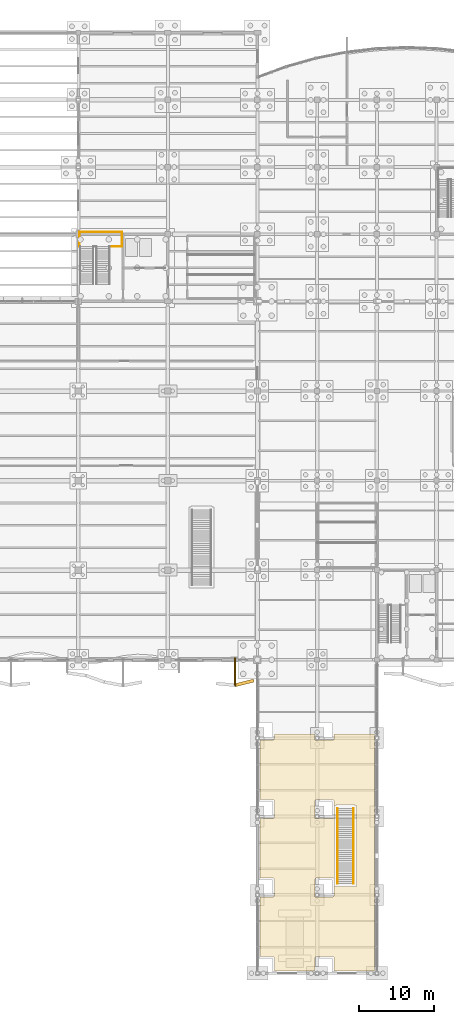
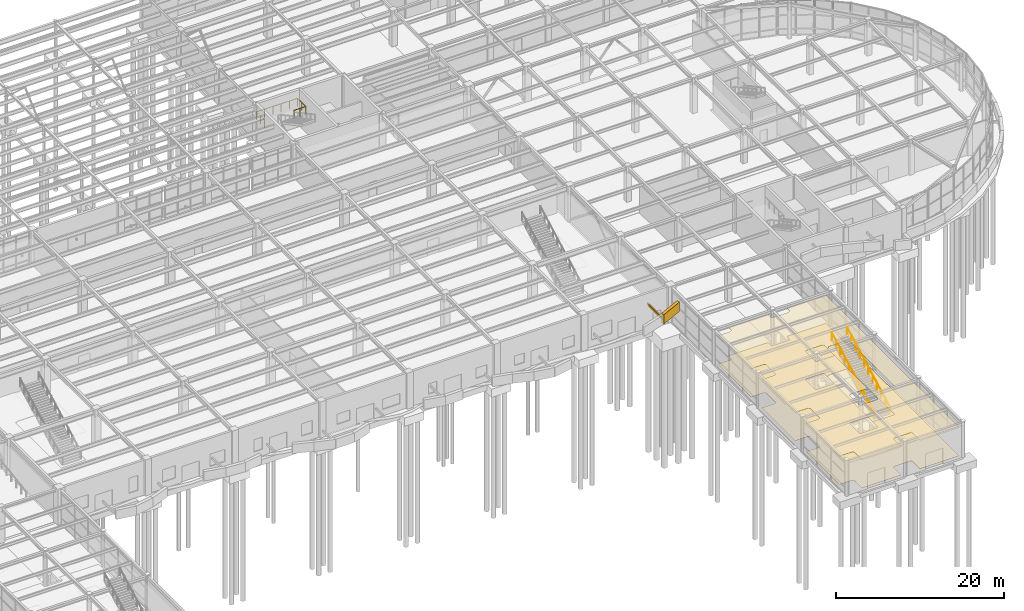
# One storey, part 79 of 85: 4 coverings, 3 railings.
"""IFC4 building model written with IfcOpenShell, lengths in metres."""

from ifc_helpers import new_model, si_unit, direction, frame, frame_2d, origin, origin_2d, place, context, subcontext, project, spatial, polyline, rectangle, circle, outline, extrude, material, layer, layer_set, type_object, element, save


model = new_model("IFC4")

# Units and contexts
model_context = context("Model", 3, precision=1e-05, world=origin(), true_north=direction((0.0, 1.0)))
body_context = subcontext(model_context, "Body", "Model", "MODEL_VIEW")
ifc_project = project(units=[si_unit("LENGTHUNIT", "METRE"), si_unit("AREAUNIT", "SQUARE_METRE"), si_unit("VOLUMEUNIT", "CUBIC_METRE"), si_unit("PLANEANGLEUNIT", "RADIAN"), si_unit("MASSUNIT", "GRAM", prefix="KILO")], contexts=[model_context])

# Site, building, storey
site_placement = place(None, origin())
site = spatial("IfcSite", under=ifc_project, at=site_placement, CompositionType="ELEMENT")
building_placement = place(site_placement, origin())
building = spatial("IfcBuilding", under=site, at=building_placement, Name="Keelwater Ferry Terminal", CompositionType="ELEMENT")
storey_placement = place(building_placement, origin())
storey = spatial("IfcBuildingStorey", under=building, at=storey_placement, Name="L00", CompositionType="ELEMENT", Elevation=0.0)

# Coverings
ifc_material_1 = material(Name="Perforated acoustic gypsum board ceiling", Category="gypsum")
ifc_layer_1 = layer(ifc_material_1, 0.044921875)
ifc_layer_set_1 = layer_set([ifc_layer_1], Name="Perforated acoustic gypsum board ceiling")
covering_type_1 = type_object("IfcCoveringType", Name="CL-AC Acoustic Baffle Ceiling", PredefinedType="CEILING", material=ifc_layer_set_1)
covering_1_placement = place(storey_placement, frame((0.0, 0.0, 4.10009765625)))
element("IfcCovering", 1, at=covering_1_placement, inside=storey, type_object=covering_type_1, Name="East Berth Holdroom Acoustic Ceiling", PredefinedType="CEILING", context=body_context, shape_type="SweptSolid", body=[
    extrude(outline(polyline([(147.615966796875, 32.077880859375), (147.623046875, 32.076904296875), (147.631103515625, 32.073974609375), (147.637939453125, 32.071044921875), (147.64404296875, 32.06689453125), (147.65087890625, 32.06201171875), (147.656982421875, 32.056884765625), (147.662109375, 32.051025390625), (147.6669921875, 32.0439453125), (147.6708984375, 32.0380859375), (147.674072265625, 32.031005859375), (147.677001953125, 32.02294921875), (147.677978515625, 32.01611328125), (147.679931640625, 32.008056640625), (147.679931640625, 32.0), (147.679931640625, 0.39990234375), (147.679931640625, 0.39208984375), (147.677978515625, 0.384033203125), (147.677001953125, 0.376953125), (147.674072265625, 0.368896484375), (147.6708984375, 0.362060546875), (147.6669921875, 0.35595703125), (147.662109375, 0.34912109375), (147.656982421875, 0.343017578125), (147.65087890625, 0.337890625), (147.64404296875, 0.3330078125), (147.637939453125, 0.3291015625), (147.631103515625, 0.325927734375), (147.623046875, 0.322998046875), (147.615966796875, 0.322021484375), (147.60791015625, 0.320068359375), (147.60009765625, 0.320068359375), (142.280029296875, 0.320068359375), (142.280029296875, 2.0), (142.279052734375, 2.027099609375), (142.27490234375, 2.054931640625), (142.26806640625, 2.0810546875), (142.259033203125, 2.10693359375), (142.2470703125, 2.132080078125), (142.23291015625, 2.156005859375), (142.216064453125, 2.177978515625), (142.197998046875, 2.197998046875), (142.177978515625, 2.216064453125), (142.156005859375, 2.23291015625), (142.132080078125, 2.2470703125), (142.10693359375, 2.259033203125), (142.0810546875, 2.26806640625), (142.054931640625, 2.27490234375), (142.027099609375, 2.279052734375), (142.0, 2.280029296875), (140.0, 2.280029296875), (139.972900390625, 2.279052734375), (139.945068359375, 2.27490234375), (139.9189453125, 2.26806640625), (139.89306640625, 2.259033203125), (139.867919921875, 2.2470703125), (139.843994140625, 2.23291015625), (139.822021484375, 2.216064453125), (139.802001953125, 2.197998046875), (139.783935546875, 2.177978515625), (139.76708984375, 2.156005859375), (139.7529296875, 2.132080078125), (139.740966796875, 2.10693359375), (139.73193359375, 2.0810546875), (139.72509765625, 2.054931640625), (139.720947265625, 2.027099609375), (139.719970703125, 2.0), (139.719970703125, 0.320068359375), (134.280029296875, 0.320068359375), (134.280029296875, 2.0), (134.279052734375, 2.027099609375), (134.27490234375, 2.054931640625), (134.26806640625, 2.0810546875), (134.259033203125, 2.10693359375), (134.2470703125, 2.132080078125), (134.23291015625, 2.156005859375), (134.216064453125, 2.177978515625), (134.197998046875, 2.197998046875), (134.177978515625, 2.216064453125), (134.156005859375, 2.23291015625), (134.132080078125, 2.2470703125), (134.10693359375, 2.259033203125), (134.0810546875, 2.26806640625), (134.054931640625, 2.27490234375), (134.027099609375, 2.279052734375), (134.0, 2.280029296875), (132.320068359375, 2.280029296875), (132.320068359375, 10.219970703125), (134.0, 10.219970703125), (134.027099609375, 10.220947265625), (134.054931640625, 10.22509765625), (134.0810546875, 10.23193359375), (134.10693359375, 10.240966796875), (134.132080078125, 10.2529296875), (134.156005859375, 10.26708984375), (134.177978515625, 10.283935546875), (134.197998046875, 10.302001953125), (134.216064453125, 10.322021484375), (134.23291015625, 10.343994140625), (134.2470703125, 10.367919921875), (134.259033203125, 10.39306640625), (134.26806640625, 10.4189453125), (134.27490234375, 10.445068359375), (134.279052734375, 10.472900390625), (134.280029296875, 10.5), (134.280029296875, 12.5), (134.279052734375, 12.527099609375), (134.27490234375, 12.554931640625), (134.26806640625, 12.5810546875), (134.259033203125, 12.60693359375), (134.2470703125, 12.632080078125), (134.23291015625, 12.656005859375), (134.216064453125, 12.677978515625), (134.197998046875, 12.697998046875), (134.177978515625, 12.716064453125), (134.156005859375, 12.73291015625), (134.132080078125, 12.7470703125), (134.10693359375, 12.759033203125), (134.0810546875, 12.76806640625), (134.054931640625, 12.77490234375), (134.027099609375, 12.779052734375), (134.0, 12.780029296875), (132.320068359375, 12.780029296875), (132.320068359375, 20.719970703125), (134.0, 20.719970703125), (134.027099609375, 20.720947265625), (134.054931640625, 20.72509765625), (134.0810546875, 20.73193359375), (134.10693359375, 20.740966796875), (134.132080078125, 20.7529296875), (134.156005859375, 20.76708984375), (134.177978515625, 20.783935546875), (134.197998046875, 20.802001953125), (134.216064453125, 20.822021484375), (134.23291015625, 20.843994140625), (134.2470703125, 20.867919921875), (134.259033203125, 20.89306640625), (134.26806640625, 20.9189453125), (134.27490234375, 20.945068359375), (134.279052734375, 20.972900390625), (134.280029296875, 21.0), (134.280029296875, 23.0), (134.279052734375, 23.027099609375), (134.27490234375, 23.054931640625), (134.26806640625, 23.0810546875), (134.259033203125, 23.10693359375), (134.2470703125, 23.132080078125), (134.23291015625, 23.156005859375), (134.216064453125, 23.177978515625), (134.197998046875, 23.197998046875), (134.177978515625, 23.216064453125), (134.156005859375, 23.23291015625), (134.132080078125, 23.2470703125), (134.10693359375, 23.259033203125), (134.0810546875, 23.26806640625), (134.054931640625, 23.27490234375), (134.027099609375, 23.279052734375), (134.0, 23.280029296875), (132.320068359375, 23.280029296875), (132.320068359375, 31.219970703125), (134.0, 31.219970703125), (134.027099609375, 31.220947265625), (134.054931640625, 31.22509765625), (134.0810546875, 31.23193359375), (134.10693359375, 31.240966796875), (134.132080078125, 31.2529296875), (134.156005859375, 31.26708984375), (134.177978515625, 31.283935546875), (134.197998046875, 31.302001953125), (134.216064453125, 31.322021484375), (134.23291015625, 31.343994140625), (134.2470703125, 31.367919921875), (134.259033203125, 31.39306640625), (134.26806640625, 31.4189453125), (134.27490234375, 31.445068359375), (134.279052734375, 31.472900390625), (134.280029296875, 31.5), (134.280029296875, 32.080078125), (139.719970703125, 32.080078125), (139.719970703125, 31.5), (139.720947265625, 31.472900390625), (139.72509765625, 31.445068359375), (139.73193359375, 31.4189453125), (139.736083984375, 31.407958984375), (139.736083984375, 31.236083984375), (139.907958984375, 31.236083984375), (139.9189453125, 31.23193359375), (139.945068359375, 31.22509765625), (139.972900390625, 31.220947265625), (140.0, 31.219970703125), (142.0, 31.219970703125), (142.027099609375, 31.220947265625), (142.054931640625, 31.22509765625), (142.0810546875, 31.23193359375), (142.10693359375, 31.240966796875), (142.132080078125, 31.2529296875), (142.156005859375, 31.26708984375), (142.177978515625, 31.283935546875), (142.197998046875, 31.302001953125), (142.216064453125, 31.322021484375), (142.23291015625, 31.343994140625), (142.2470703125, 31.367919921875), (142.259033203125, 31.39306640625), (142.26806640625, 31.4189453125), (142.27490234375, 31.445068359375), (142.279052734375, 31.472900390625), (142.280029296875, 31.5), (142.280029296875, 32.080078125), (147.60009765625, 32.080078125), (147.60791015625, 32.080078125), (147.615966796875, 32.077880859375)]), holes=[polyline([(145.02001953125, 22.6201171875), (142.580078125, 22.6201171875), (142.580078125, 22.47998046875), (142.300048828125, 22.47998046875), (142.300048828125, 11.60009765625), (145.300048828125, 11.60009765625), (145.300048828125, 22.47998046875), (145.02001953125, 22.47998046875), (145.02001953125, 22.6201171875)]), polyline([(139.945068359375, 12.77490234375), (139.9189453125, 12.76806640625), (139.89306640625, 12.759033203125), (139.867919921875, 12.7470703125), (139.843994140625, 12.73291015625), (139.822021484375, 12.716064453125), (139.802001953125, 12.697998046875), (139.783935546875, 12.677978515625), (139.76708984375, 12.656005859375), (139.7529296875, 12.632080078125), (139.740966796875, 12.60693359375), (139.73193359375, 12.5810546875), (139.72509765625, 12.554931640625), (139.720947265625, 12.527099609375), (139.719970703125, 12.5), (139.719970703125, 10.5), (139.720947265625, 10.472900390625), (139.72509765625, 10.445068359375), (139.73193359375, 10.4189453125), (139.736083984375, 10.407958984375), (139.736083984375, 10.236083984375), (139.907958984375, 10.236083984375), (139.9189453125, 10.23193359375), (139.945068359375, 10.22509765625), (139.972900390625, 10.220947265625), (140.0, 10.219970703125), (142.0, 10.219970703125), (142.027099609375, 10.220947265625), (142.054931640625, 10.22509765625), (142.0810546875, 10.23193359375), (142.10693359375, 10.240966796875), (142.132080078125, 10.2529296875), (142.156005859375, 10.26708984375), (142.177978515625, 10.283935546875), (142.197998046875, 10.302001953125), (142.216064453125, 10.322021484375), (142.23291015625, 10.343994140625), (142.2470703125, 10.367919921875), (142.259033203125, 10.39306640625), (142.26806640625, 10.4189453125), (142.27490234375, 10.445068359375), (142.279052734375, 10.472900390625), (142.280029296875, 10.5), (142.280029296875, 12.5), (142.279052734375, 12.527099609375), (142.27490234375, 12.554931640625), (142.26806640625, 12.5810546875), (142.259033203125, 12.60693359375), (142.2470703125, 12.632080078125), (142.23291015625, 12.656005859375), (142.216064453125, 12.677978515625), (142.197998046875, 12.697998046875), (142.177978515625, 12.716064453125), (142.156005859375, 12.73291015625), (142.132080078125, 12.7470703125), (142.10693359375, 12.759033203125), (142.0810546875, 12.76806640625), (142.054931640625, 12.77490234375), (142.027099609375, 12.779052734375), (142.0, 12.780029296875), (140.0, 12.780029296875), (139.972900390625, 12.779052734375), (139.945068359375, 12.77490234375)]), polyline([(142.054931640625, 20.72509765625), (142.0810546875, 20.73193359375), (142.10693359375, 20.740966796875), (142.132080078125, 20.7529296875), (142.156005859375, 20.76708984375), (142.177978515625, 20.783935546875), (142.197998046875, 20.802001953125), (142.216064453125, 20.822021484375), (142.23291015625, 20.843994140625), (142.2470703125, 20.867919921875), (142.259033203125, 20.89306640625), (142.26806640625, 20.9189453125), (142.27490234375, 20.945068359375), (142.279052734375, 20.972900390625), (142.280029296875, 21.0), (142.280029296875, 23.0), (142.279052734375, 23.027099609375), (142.27490234375, 23.054931640625), (142.26806640625, 23.0810546875), (142.259033203125, 23.10693359375), (142.2470703125, 23.132080078125), (142.23291015625, 23.156005859375), (142.216064453125, 23.177978515625), (142.197998046875, 23.197998046875), (142.177978515625, 23.216064453125), (142.156005859375, 23.23291015625), (142.132080078125, 23.2470703125), (142.10693359375, 23.259033203125), (142.0810546875, 23.26806640625), (142.054931640625, 23.27490234375), (142.027099609375, 23.279052734375), (142.0, 23.280029296875), (140.0, 23.280029296875), (139.972900390625, 23.279052734375), (139.945068359375, 23.27490234375), (139.9189453125, 23.26806640625), (139.89306640625, 23.259033203125), (139.867919921875, 23.2470703125), (139.843994140625, 23.23291015625), (139.822021484375, 23.216064453125), (139.802001953125, 23.197998046875), (139.783935546875, 23.177978515625), (139.76708984375, 23.156005859375), (139.7529296875, 23.132080078125), (139.740966796875, 23.10693359375), (139.73193359375, 23.0810546875), (139.72509765625, 23.054931640625), (139.720947265625, 23.027099609375), (139.719970703125, 23.0), (139.719970703125, 21.0), (139.720947265625, 20.972900390625), (139.72509765625, 20.945068359375), (139.73193359375, 20.9189453125), (139.736083984375, 20.907958984375), (139.736083984375, 20.736083984375), (139.907958984375, 20.736083984375), (139.9189453125, 20.73193359375), (139.945068359375, 20.72509765625), (139.972900390625, 20.720947265625), (140.0, 20.719970703125), (142.0, 20.719970703125), (142.027099609375, 20.720947265625), (142.054931640625, 20.72509765625)])]), origin(), (0.0, 0.0, 1.0), 0.044921875),
])
ifc_material_2 = material(Name="Polished mineral terrazzo tile", Category="stone")
ifc_layer_2 = layer(ifc_material_2, 0.030029296875)
ifc_layer_set_2 = layer_set([ifc_layer_2], Name="Polished mineral terrazzo tile")
covering_type_2 = type_object("IfcCoveringType", Name="FL-TZ Marine Terrazzo Flooring", PredefinedType="FLOORING", material=ifc_layer_set_2)
covering_2_placement = place(storey_placement, origin())
element("IfcCovering", 2, at=covering_2_placement, inside=storey, type_object=covering_type_2, Name="East Berth Holdroom Terrazzo Floor", PredefinedType="FLOORING", context=body_context, shape_type="SweptSolid", body=[
    extrude(outline(polyline([(147.615966796875, 32.077880859375), (147.623046875, 32.076904296875), (147.631103515625, 32.073974609375), (147.637939453125, 32.071044921875), (147.64404296875, 32.06689453125), (147.65087890625, 32.06201171875), (147.656982421875, 32.056884765625), (147.662109375, 32.051025390625), (147.6669921875, 32.0439453125), (147.6708984375, 32.0380859375), (147.674072265625, 32.031005859375), (147.677001953125, 32.02294921875), (147.677978515625, 32.01611328125), (147.679931640625, 32.008056640625), (147.679931640625, 32.0), (147.679931640625, 0.39990234375), (147.679931640625, 0.39208984375), (147.677978515625, 0.384033203125), (147.677001953125, 0.376953125), (147.674072265625, 0.368896484375), (147.6708984375, 0.362060546875), (147.6669921875, 0.35595703125), (147.662109375, 0.34912109375), (147.656982421875, 0.343017578125), (147.65087890625, 0.337890625), (147.64404296875, 0.3330078125), (147.637939453125, 0.3291015625), (147.631103515625, 0.325927734375), (147.623046875, 0.322998046875), (147.615966796875, 0.322021484375), (147.60791015625, 0.320068359375), (147.60009765625, 0.320068359375), (142.280029296875, 0.320068359375), (142.280029296875, 2.0), (142.279052734375, 2.027099609375), (142.27490234375, 2.054931640625), (142.26806640625, 2.0810546875), (142.259033203125, 2.10693359375), (142.2470703125, 2.132080078125), (142.23291015625, 2.156005859375), (142.216064453125, 2.177978515625), (142.197998046875, 2.197998046875), (142.177978515625, 2.216064453125), (142.156005859375, 2.23291015625), (142.132080078125, 2.2470703125), (142.10693359375, 2.259033203125), (142.0810546875, 2.26806640625), (142.054931640625, 2.27490234375), (142.027099609375, 2.279052734375), (142.0, 2.280029296875), (140.0, 2.280029296875), (139.972900390625, 2.279052734375), (139.945068359375, 2.27490234375), (139.9189453125, 2.26806640625), (139.89306640625, 2.259033203125), (139.867919921875, 2.2470703125), (139.843994140625, 2.23291015625), (139.822021484375, 2.216064453125), (139.802001953125, 2.197998046875), (139.783935546875, 2.177978515625), (139.76708984375, 2.156005859375), (139.7529296875, 2.132080078125), (139.740966796875, 2.10693359375), (139.73193359375, 2.0810546875), (139.72509765625, 2.054931640625), (139.720947265625, 2.027099609375), (139.719970703125, 2.0), (139.719970703125, 0.320068359375), (134.280029296875, 0.320068359375), (134.280029296875, 2.0), (134.279052734375, 2.027099609375), (134.27490234375, 2.054931640625), (134.26806640625, 2.0810546875), (134.259033203125, 2.10693359375), (134.2470703125, 2.132080078125), (134.23291015625, 2.156005859375), (134.216064453125, 2.177978515625), (134.197998046875, 2.197998046875), (134.177978515625, 2.216064453125), (134.156005859375, 2.23291015625), (134.132080078125, 2.2470703125), (134.10693359375, 2.259033203125), (134.0810546875, 2.26806640625), (134.054931640625, 2.27490234375), (134.027099609375, 2.279052734375), (134.0, 2.280029296875), (132.320068359375, 2.280029296875), (132.320068359375, 10.219970703125), (134.0, 10.219970703125), (134.027099609375, 10.220947265625), (134.054931640625, 10.22509765625), (134.0810546875, 10.23193359375), (134.10693359375, 10.240966796875), (134.132080078125, 10.2529296875), (134.156005859375, 10.26708984375), (134.177978515625, 10.283935546875), (134.197998046875, 10.302001953125), (134.216064453125, 10.322021484375), (134.23291015625, 10.343994140625), (134.2470703125, 10.367919921875), (134.259033203125, 10.39306640625), (134.26806640625, 10.4189453125), (134.27490234375, 10.445068359375), (134.279052734375, 10.472900390625), (134.280029296875, 10.5), (134.280029296875, 12.5), (134.279052734375, 12.527099609375), (134.27490234375, 12.554931640625), (134.26806640625, 12.5810546875), (134.259033203125, 12.60693359375), (134.2470703125, 12.632080078125), (134.23291015625, 12.656005859375), (134.216064453125, 12.677978515625), (134.197998046875, 12.697998046875), (134.177978515625, 12.716064453125), (134.156005859375, 12.73291015625), (134.132080078125, 12.7470703125), (134.10693359375, 12.759033203125), (134.0810546875, 12.76806640625), (134.054931640625, 12.77490234375), (134.027099609375, 12.779052734375), (134.0, 12.780029296875), (132.320068359375, 12.780029296875), (132.320068359375, 20.719970703125), (134.0, 20.719970703125), (134.027099609375, 20.720947265625), (134.054931640625, 20.72509765625), (134.0810546875, 20.73193359375), (134.10693359375, 20.740966796875), (134.132080078125, 20.7529296875), (134.156005859375, 20.76708984375), (134.177978515625, 20.783935546875), (134.197998046875, 20.802001953125), (134.216064453125, 20.822021484375), (134.23291015625, 20.843994140625), (134.2470703125, 20.867919921875), (134.259033203125, 20.89306640625), (134.26806640625, 20.9189453125), (134.27490234375, 20.945068359375), (134.279052734375, 20.972900390625), (134.280029296875, 21.0), (134.280029296875, 23.0), (134.279052734375, 23.027099609375), (134.27490234375, 23.054931640625), (134.26806640625, 23.0810546875), (134.259033203125, 23.10693359375), (134.2470703125, 23.132080078125), (134.23291015625, 23.156005859375), (134.216064453125, 23.177978515625), (134.197998046875, 23.197998046875), (134.177978515625, 23.216064453125), (134.156005859375, 23.23291015625), (134.132080078125, 23.2470703125), (134.10693359375, 23.259033203125), (134.0810546875, 23.26806640625), (134.054931640625, 23.27490234375), (134.027099609375, 23.279052734375), (134.0, 23.280029296875), (132.320068359375, 23.280029296875), (132.320068359375, 31.219970703125), (134.0, 31.219970703125), (134.027099609375, 31.220947265625), (134.054931640625, 31.22509765625), (134.0810546875, 31.23193359375), (134.10693359375, 31.240966796875), (134.132080078125, 31.2529296875), (134.156005859375, 31.26708984375), (134.177978515625, 31.283935546875), (134.197998046875, 31.302001953125), (134.216064453125, 31.322021484375), (134.23291015625, 31.343994140625), (134.2470703125, 31.367919921875), (134.259033203125, 31.39306640625), (134.26806640625, 31.4189453125), (134.27490234375, 31.445068359375), (134.279052734375, 31.472900390625), (134.280029296875, 31.5), (134.280029296875, 32.080078125), (139.719970703125, 32.080078125), (139.719970703125, 31.5), (139.720947265625, 31.472900390625), (139.72509765625, 31.445068359375), (139.73193359375, 31.4189453125), (139.736083984375, 31.407958984375), (139.736083984375, 31.236083984375), (139.907958984375, 31.236083984375), (139.9189453125, 31.23193359375), (139.945068359375, 31.22509765625), (139.972900390625, 31.220947265625), (140.0, 31.219970703125), (142.0, 31.219970703125), (142.027099609375, 31.220947265625), (142.054931640625, 31.22509765625), (142.0810546875, 31.23193359375), (142.10693359375, 31.240966796875), (142.132080078125, 31.2529296875), (142.156005859375, 31.26708984375), (142.177978515625, 31.283935546875), (142.197998046875, 31.302001953125), (142.216064453125, 31.322021484375), (142.23291015625, 31.343994140625), (142.2470703125, 31.367919921875), (142.259033203125, 31.39306640625), (142.26806640625, 31.4189453125), (142.27490234375, 31.445068359375), (142.279052734375, 31.472900390625), (142.280029296875, 31.5), (142.280029296875, 32.080078125), (147.60009765625, 32.080078125), (147.60791015625, 32.080078125), (147.615966796875, 32.077880859375)]), holes=[polyline([(145.02001953125, 22.6201171875), (142.580078125, 22.6201171875), (142.580078125, 22.47998046875), (142.300048828125, 22.47998046875), (142.300048828125, 11.60009765625), (145.300048828125, 11.60009765625), (145.300048828125, 22.47998046875), (145.02001953125, 22.47998046875), (145.02001953125, 22.6201171875)]), polyline([(139.945068359375, 12.77490234375), (139.9189453125, 12.76806640625), (139.89306640625, 12.759033203125), (139.867919921875, 12.7470703125), (139.843994140625, 12.73291015625), (139.822021484375, 12.716064453125), (139.802001953125, 12.697998046875), (139.783935546875, 12.677978515625), (139.76708984375, 12.656005859375), (139.7529296875, 12.632080078125), (139.740966796875, 12.60693359375), (139.73193359375, 12.5810546875), (139.72509765625, 12.554931640625), (139.720947265625, 12.527099609375), (139.719970703125, 12.5), (139.719970703125, 10.5), (139.720947265625, 10.472900390625), (139.72509765625, 10.445068359375), (139.73193359375, 10.4189453125), (139.736083984375, 10.407958984375), (139.736083984375, 10.236083984375), (139.907958984375, 10.236083984375), (139.9189453125, 10.23193359375), (139.945068359375, 10.22509765625), (139.972900390625, 10.220947265625), (140.0, 10.219970703125), (142.0, 10.219970703125), (142.027099609375, 10.220947265625), (142.054931640625, 10.22509765625), (142.0810546875, 10.23193359375), (142.10693359375, 10.240966796875), (142.132080078125, 10.2529296875), (142.156005859375, 10.26708984375), (142.177978515625, 10.283935546875), (142.197998046875, 10.302001953125), (142.216064453125, 10.322021484375), (142.23291015625, 10.343994140625), (142.2470703125, 10.367919921875), (142.259033203125, 10.39306640625), (142.26806640625, 10.4189453125), (142.27490234375, 10.445068359375), (142.279052734375, 10.472900390625), (142.280029296875, 10.5), (142.280029296875, 12.5), (142.279052734375, 12.527099609375), (142.27490234375, 12.554931640625), (142.26806640625, 12.5810546875), (142.259033203125, 12.60693359375), (142.2470703125, 12.632080078125), (142.23291015625, 12.656005859375), (142.216064453125, 12.677978515625), (142.197998046875, 12.697998046875), (142.177978515625, 12.716064453125), (142.156005859375, 12.73291015625), (142.132080078125, 12.7470703125), (142.10693359375, 12.759033203125), (142.0810546875, 12.76806640625), (142.054931640625, 12.77490234375), (142.027099609375, 12.779052734375), (142.0, 12.780029296875), (140.0, 12.780029296875), (139.972900390625, 12.779052734375), (139.945068359375, 12.77490234375)]), polyline([(142.054931640625, 20.72509765625), (142.0810546875, 20.73193359375), (142.10693359375, 20.740966796875), (142.132080078125, 20.7529296875), (142.156005859375, 20.76708984375), (142.177978515625, 20.783935546875), (142.197998046875, 20.802001953125), (142.216064453125, 20.822021484375), (142.23291015625, 20.843994140625), (142.2470703125, 20.867919921875), (142.259033203125, 20.89306640625), (142.26806640625, 20.9189453125), (142.27490234375, 20.945068359375), (142.279052734375, 20.972900390625), (142.280029296875, 21.0), (142.280029296875, 23.0), (142.279052734375, 23.027099609375), (142.27490234375, 23.054931640625), (142.26806640625, 23.0810546875), (142.259033203125, 23.10693359375), (142.2470703125, 23.132080078125), (142.23291015625, 23.156005859375), (142.216064453125, 23.177978515625), (142.197998046875, 23.197998046875), (142.177978515625, 23.216064453125), (142.156005859375, 23.23291015625), (142.132080078125, 23.2470703125), (142.10693359375, 23.259033203125), (142.0810546875, 23.26806640625), (142.054931640625, 23.27490234375), (142.027099609375, 23.279052734375), (142.0, 23.280029296875), (140.0, 23.280029296875), (139.972900390625, 23.279052734375), (139.945068359375, 23.27490234375), (139.9189453125, 23.26806640625), (139.89306640625, 23.259033203125), (139.867919921875, 23.2470703125), (139.843994140625, 23.23291015625), (139.822021484375, 23.216064453125), (139.802001953125, 23.197998046875), (139.783935546875, 23.177978515625), (139.76708984375, 23.156005859375), (139.7529296875, 23.132080078125), (139.740966796875, 23.10693359375), (139.73193359375, 23.0810546875), (139.72509765625, 23.054931640625), (139.720947265625, 23.027099609375), (139.719970703125, 23.0), (139.719970703125, 21.0), (139.720947265625, 20.972900390625), (139.72509765625, 20.945068359375), (139.73193359375, 20.9189453125), (139.736083984375, 20.907958984375), (139.736083984375, 20.736083984375), (139.907958984375, 20.736083984375), (139.9189453125, 20.73193359375), (139.945068359375, 20.72509765625), (139.972900390625, 20.720947265625), (140.0, 20.719970703125), (142.0, 20.719970703125), (142.027099609375, 20.720947265625), (142.054931640625, 20.72509765625)])]), origin(), (0.0, 0.0, 1.0), 0.030029296875),
])

# Railings
ifc_material_3 = material(Name="Painted Steel S355", Category="steel")
railing_type = type_object("IfcRailingType", Name="GR-115 Stair Well Guardrail", PredefinedType="GUARDRAIL", material=ifc_material_3)
railing_placement = place(storey_placement, frame((108.199951171875, 97.340087890625, 2.699951171875)))
element("IfcRailing", 3, at=railing_placement, inside=storey, type_object=railing_type, Name="Stair ST-C2-L00 Half-Landing Guard 13", PredefinedType="GUARDRAIL", context=body_context, shape_type="SweptSolid", body=[
    extrude(circle(Radius=0.02392578125, at=origin_2d()), frame((0.0, 0.0, 1.1259765625), z_axis=(-1.0, 0.0, 0.0), x_axis=(0.0, -1.0, 0.0)), (0.0, 0.0, 1.0), 0.02001953125),
    extrude(circle(Radius=0.02392578125, at=origin_2d()), frame((-0.02001953125, 0.0, 1.1259765625), z_axis=(0.0, 1.0, 0.0), x_axis=(-1.0, 0.0, 0.0)), (0.0, 0.0, 1.0), 1.969970703125),
    extrude(circle(Radius=0.02392578125, at=origin_2d()), frame((-0.02001953125, 1.969970703125, 1.1259765625), z_axis=(1.0, 0.0, 0.0), x_axis=(0.0, 1.0, 0.0)), (0.0, 0.0, 1.0), 5.670166015625),
    extrude(circle(Radius=0.02392578125, at=origin_2d()), frame((5.650146484375, 1.969970703125, 1.1259765625), z_axis=(0.0, -1.0, 0.0), x_axis=(1.0, 0.0, 0.0)), (0.0, 0.0, 1.0), 1.969970703125),
    extrude(circle(Radius=0.02392578125, at=origin_2d()), frame((5.650146484375, 0.0, 1.1259765625), z_axis=(-1.0, 0.0, 0.0), x_axis=(0.0, -1.0, 0.0)), (0.0, 0.0, 1.0), 1.610107421875),
    extrude(circle(Radius=0.02099609375, at=origin_2d()), origin(), (0.0, 0.0, 1.0), 1.101806640625),
    extrude(circle(Radius=0.02099609375, at=origin_2d()), frame((-0.02001953125, 0.0, 0.0)), (0.0, 0.0, 1.0), 1.101806640625),
    extrude(circle(Radius=0.02099609375, at=origin_2d()), frame((-0.02001953125, 0.98486328125, 0.0)), (0.0, 0.0, 1.0), 1.101806640625),
    extrude(circle(Radius=0.02099609375, at=origin_2d()), frame((-0.02001953125, 1.969970703125, 0.0)), (0.0, 0.0, 1.0), 1.101806640625),
    extrude(circle(Radius=0.02099609375, at=origin_2d()), frame((1.114013671875, 1.969970703125, 0.0)), (0.0, 0.0, 1.0), 1.101806640625),
    extrude(circle(Radius=0.02099609375, at=origin_2d()), frame((2.248046875, 1.969970703125, 0.0)), (0.0, 0.0, 1.0), 1.101806640625),
    extrude(circle(Radius=0.02099609375, at=origin_2d()), frame((3.382080078125, 1.969970703125, 0.0)), (0.0, 0.0, 1.0), 1.101806640625),
    extrude(circle(Radius=0.02099609375, at=origin_2d()), frame((4.51611328125, 1.969970703125, 0.0)), (0.0, 0.0, 1.0), 1.101806640625),
    extrude(circle(Radius=0.02099609375, at=origin_2d()), frame((5.650146484375, 1.969970703125, 0.0)), (0.0, 0.0, 1.0), 1.101806640625),
    extrude(circle(Radius=0.02099609375, at=origin_2d()), frame((5.650146484375, 0.98486328125, 0.0)), (0.0, 0.0, 1.0), 1.101806640625),
    extrude(circle(Radius=0.02099609375, at=origin_2d()), frame((5.650146484375, 0.0, 0.0)), (0.0, 0.0, 1.0), 1.101806640625),
    extrude(circle(Radius=0.02099609375, at=origin_2d()), frame((4.84521484375, 0.0, 0.0)), (0.0, 0.0, 1.0), 1.101806640625),
    extrude(circle(Radius=0.02099609375, at=origin_2d()), frame((4.0400390625, 0.0, 0.0)), (0.0, 0.0, 1.0), 1.101806640625),
])
for number, where, name in (
    (4, (144.860107421875, 12.0, 0.0), "Straight Stair BS-02 Flight Guard 124"),
    (5, (142.739990234375, 12.0, 0.0), "Straight Stair BS-02 Flight Guard 125"),
):
    element("IfcRailing", number, at=place(storey_placement, frame(where)), inside=storey, type_object=railing_type, Name=name, PredefinedType="GUARDRAIL", context=body_context, shape_type="SweptSolid", body=[
        extrude(circle(Radius=0.02392578125, at=origin_2d()), frame((0.0, 0.0, 1.1259765625), z_axis=(0.0, 0.881485048194, 0.472211933151), x_axis=(-1.0, 0.0, 0.0)), (0.0, 0.0, 1.0), 11.435302734375),
        extrude(circle(Radius=0.02099609375, at=origin_2d()), origin(), (0.0, 0.0, 1.0), 1.101806640625),
        extrude(circle(Radius=0.02099609375, at=origin_2d()), frame((0.0, 1.008056640625, 0.5400390625)), (0.0, 0.0, 1.0), 1.101806640625),
        extrude(circle(Radius=0.02099609375, at=origin_2d()), frame((0.0, 2.01611328125, 1.080078125)), (0.0, 0.0, 1.0), 1.101806640625),
        extrude(circle(Radius=0.02099609375, at=origin_2d()), frame((0.0, 3.02392578125, 1.619873046875)), (0.0, 0.0, 1.0), 1.101806640625),
        extrude(circle(Radius=0.02099609375, at=origin_2d()), frame((0.0, 4.031982421875, 2.159912109375)), (0.0, 0.0, 1.0), 1.101806640625),
        extrude(circle(Radius=0.02099609375, at=origin_2d()), frame((0.0, 5.0400390625, 2.699951171875)), (0.0, 0.0, 1.0), 1.101806640625),
        extrude(circle(Radius=0.02099609375, at=origin_2d()), frame((0.0, 6.048095703125, 3.239990234375)), (0.0, 0.0, 1.0), 1.101806640625),
        extrude(circle(Radius=0.02099609375, at=origin_2d()), frame((0.0, 7.05615234375, 3.780029296875)), (0.0, 0.0, 1.0), 1.101806640625),
        extrude(circle(Radius=0.02099609375, at=origin_2d()), frame((0.0, 8.06396484375, 4.31982421875)), (0.0, 0.0, 1.0), 1.101806640625),
        extrude(circle(Radius=0.02099609375, at=origin_2d()), frame((0.0, 9.072021484375, 4.85986328125)), (0.0, 0.0, 1.0), 1.101806640625),
        extrude(circle(Radius=0.02099609375, at=origin_2d()), frame((0.0, 10.080078125, 5.39990234375)), (0.0, 0.0, 1.0), 1.101806640625),
    ])

# Coverings
ifc_material_4 = material(Name="Matte white architectural aluminium fascia ribbon", Category="aluminium")
ifc_layer_3 = layer(ifc_material_4, 0.1201171875)
ifc_layer_set_3 = layer_set([ifc_layer_3], Name="Matte white architectural aluminium fascia ribbon")
covering_type_3 = type_object("IfcCoveringType", Name="RB-WHT Matte White Fascia Ribbon", PredefinedType="CLADDING", material=ifc_layer_set_3)
covering_3_placement = place(storey_placement, frame((128.97607421875, 38.572998046875, 2.635986328125), z_axis=(0.0, 0.0, 1.0), x_axis=(0.969062454422, 0.246815638545, 0.0)))
element("IfcCovering", 6, at=covering_3_placement, inside=storey, type_object=covering_type_3, Name="Quay Plinth Wave Fascia Ribbon 542", PredefinedType="CLADDING", context=body_context, shape_type="SweptSolid", body=[
    extrude(outline(polyline([(0.0, 0.0), (2.629150390625, 0.58203125), (2.629150390625, 1.93212890625), (0.0, 1.35009765625), (0.0, 0.0)])), frame((0.0, 0.2099609375, 0.0), z_axis=(0.0, -1.0, 0.0), x_axis=(1.0, 0.0, 0.0)), (0.0, 0.0, 1.0), 0.419921875),
])
covering_4_placement = place(storey_placement, frame((129.0, 38.5791015625, 3.1708984375), z_axis=(0.0, 0.0, 1.0), x_axis=(0.0, 1.0, 0.0)))
element("IfcCovering", 7, at=covering_4_placement, inside=storey, type_object=covering_type_3, Name="Ribbon Horizontal Tie Bracket 546", PredefinedType="CLADDING", context=body_context, shape_type="SweptSolid", body=[
    extrude(rectangle(XDim=3.6708984375, YDim=0.159912109375, at=frame_2d((1.83544921875, 0.0))), origin(), (0.0, 0.0, 1.0), 0.280029296875),
])

save(model, "model.ifc")
